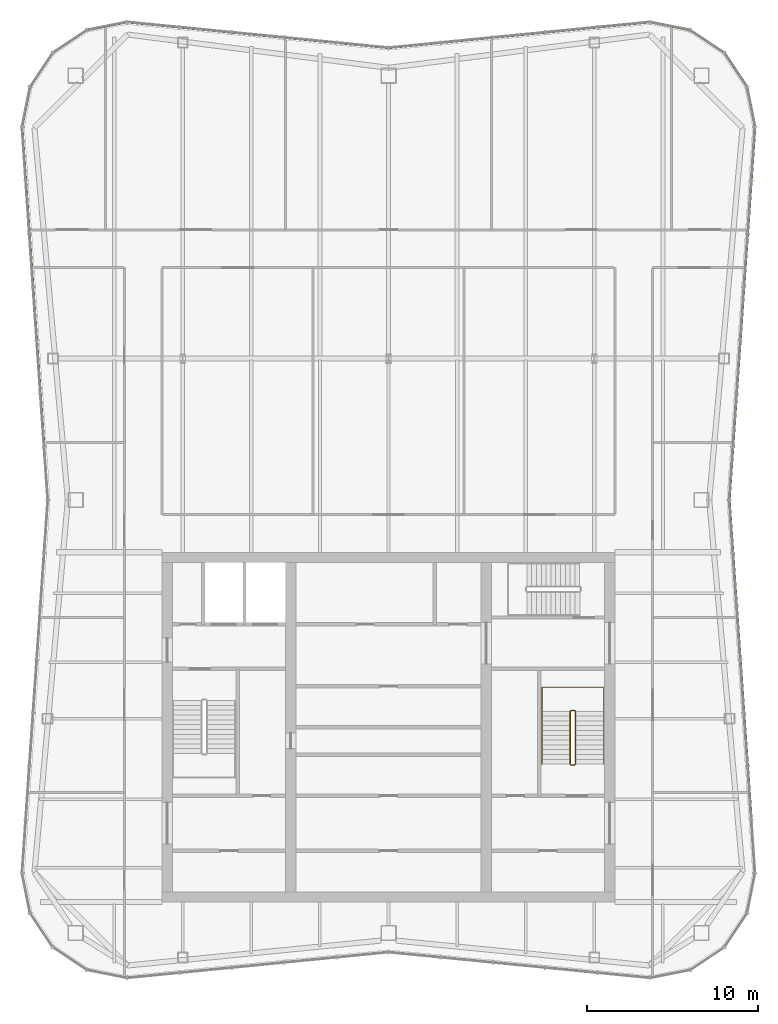
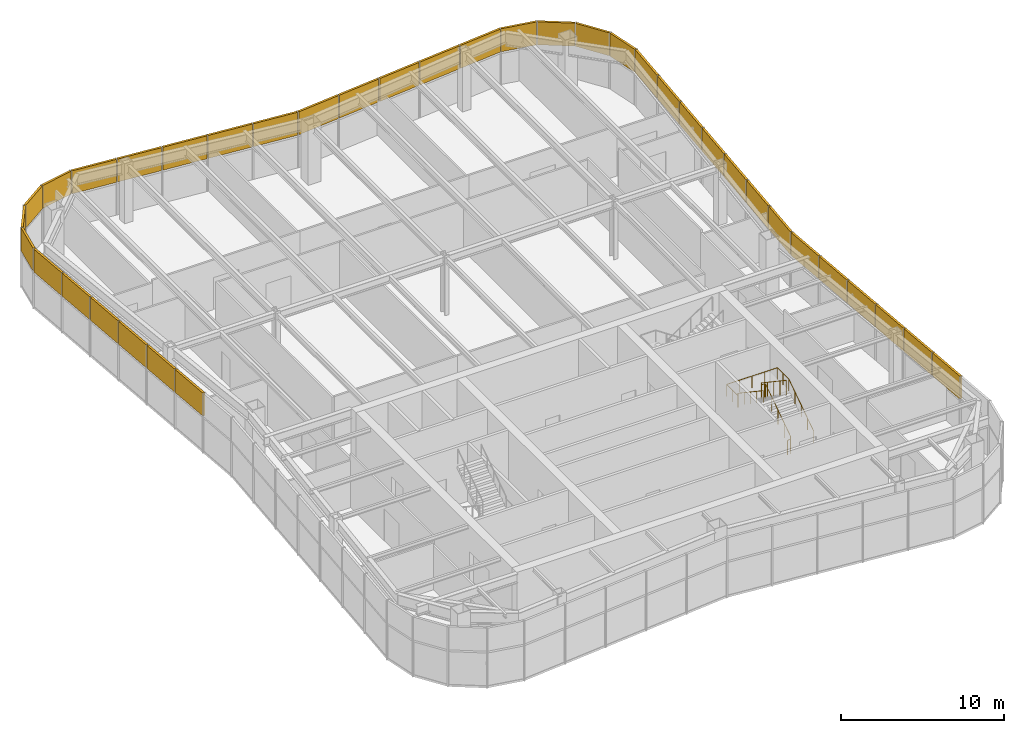
# One storey, part 13 of 13: 37 shading devices, 2 railings, 5 elements without a shape of their own.
"""IFC4 building model written with IfcOpenShell, lengths in metres."""

import ifcopenshell
import ifcopenshell.guid

model = None  # the IFC model being written
_history = None  # IfcOwnerHistory: only IFC2X3 demands one
_inside = {}  # id of a spatial element -> (the spatial element, [elements in it])
_under = {}  # id of a project, library or spatial element -> (it, [spatial elements below it])
_declared = {}  # id of a project -> (the project, [libraries it declares])
_typed = {}  # id of a type object -> (the type object, [elements of that type])
_made_of = {}  # id of a material, layer set ... -> (it, [elements and type objects made of it])


def new_model(schema):
    """Start an empty IFC model of exactly this schema.

    Asked for "IFC4X3", IfcOpenShell would pick the latest addendum, in which some entities
    have other attributes; the version numbers below select the first issue.
    IFC2X3 requires an IfcOwnerHistory on every rooted entity: one is made here for all.
    """
    global model, _history
    if schema == "IFC4X3":
        model = ifcopenshell.file(schema_version=(4, 3, 0, 0))
    else:
        model = ifcopenshell.file(schema=schema)
    _inside.clear()
    _under.clear()
    _declared.clear()
    _typed.clear()
    _made_of.clear()
    _history = None
    if model.schema == "IFC2X3":
        org = make("IfcOrganization", Name="unknown")
        user = make(
            "IfcPersonAndOrganization",
            ThePerson=make("IfcPerson", FamilyName="unknown"),
            TheOrganization=org,
        )
        app = make(
            "IfcApplication",
            ApplicationDeveloper=org,
            Version="unknown",
            ApplicationFullName="unknown",
            ApplicationIdentifier="unknown",
        )
        _history = make(
            "IfcOwnerHistory",
            OwningUser=user,
            OwningApplication=app,
            ChangeAction="ADDED",
            CreationDate=0,
        )
    return model


def make(cls, **values):
    """One entity of the class cls with the attributes given. An attribute that is None is left unset."""
    return model.create_entity(
        cls, **{name: value for name, value in values.items() if value is not None}
    )


def rooted(cls, **values):
    """An entity with a GlobalId (a new one), such as an element, a storey or a relation."""
    return make(cls, GlobalId=ifcopenshell.guid.new(), OwnerHistory=_history, **values)


def si_unit(unit_type, name, prefix=None):
    """IfcSIUnit, for example si_unit("LENGTHUNIT", "METRE", prefix="MILLI")."""
    return make("IfcSIUnit", UnitType=unit_type, Prefix=prefix, Name=name)


def assignment(units):
    """IfcUnitAssignment: the units of a project."""
    return None if units is None else make("IfcUnitAssignment", Units=units)


def point(xyz):
    """IfcCartesianPoint."""
    return None if xyz is None else make("IfcCartesianPoint", Coordinates=xyz)


def direction(xyz):
    """IfcDirection."""
    return None if xyz is None else make("IfcDirection", DirectionRatios=xyz)


def frame(location, z_axis=None, x_axis=None):
    """IfcAxis2Placement3D, a coordinate frame: its origin and axes. An axis left out is left unset."""
    return make(
        "IfcAxis2Placement3D",
        Location=point(location),
        Axis=direction(z_axis),
        RefDirection=direction(x_axis),
    )


def frame_2d(location, x_axis=None):
    """IfcAxis2Placement2D, a coordinate frame in the plane: its origin and x axis."""
    return make(
        "IfcAxis2Placement2D", Location=point(location), RefDirection=direction(x_axis)
    )


def origin():
    """The frame at (0, 0, 0) with its axes left unset."""
    return frame((0.0, 0.0, 0.0))


def origin_2d():
    """The frame at (0, 0) in the plane with its x axis left unset."""
    return frame_2d((0.0, 0.0))


def place(relative_to, where):
    """IfcLocalPlacement: puts the frame where relative to a parent placement (None: the world)."""
    return make(
        "IfcLocalPlacement", PlacementRelTo=relative_to, RelativePlacement=where
    )


def context(
    kind, dimensions, precision=None, world=None, true_north=None, identifier=None
):
    """IfcGeometricRepresentationContext, for example the 3D "Model" context."""
    return make(
        "IfcGeometricRepresentationContext",
        ContextIdentifier=identifier,
        ContextType=kind,
        CoordinateSpaceDimension=dimensions,
        Precision=precision,
        WorldCoordinateSystem=world,
        TrueNorth=true_north,
    )


def subcontext(parent, identifier, kind, view, scale=None):
    """IfcGeometricRepresentationSubContext, for example "Body" below "Model"."""
    return make(
        "IfcGeometricRepresentationSubContext",
        ContextIdentifier=identifier,
        ContextType=kind,
        ParentContext=parent,
        TargetScale=scale,
        TargetView=view,
    )


def project(units=None, contexts=None):
    """IfcProject with its units and contexts."""
    return rooted(
        "IfcProject",
        Name="project",
        RepresentationContexts=contexts,
        UnitsInContext=assignment(units),
    )


def spatial(cls, under=None, at=None, **own):
    """A site, building, storey or space (cls), placed at a placement, below another one or the project."""
    s = rooted(cls, ObjectPlacement=at, **own)
    if under is not None:
        _under.setdefault(under.id(), (under, []))[1].append(s)
    return s


def profile(cls, at=None, kind="AREA", **sizes):
    """A parametric profile (cls). Its sizes go by their IFC names, for example OverallWidth=200.0."""
    return make(cls, ProfileType=kind, Position=at, **sizes)


def rectangle(**sizes):
    """IfcRectangleProfileDef."""
    return profile("IfcRectangleProfileDef", **sizes)


def circle(**sizes):
    """IfcCircleProfileDef."""
    return profile("IfcCircleProfileDef", **sizes)


def extrude(swept, where, along, depth):
    """IfcExtrudedAreaSolid: the profile swept, set in the frame where, extruded along a direction by depth."""
    return make(
        "IfcExtrudedAreaSolid",
        SweptArea=swept,
        Position=where,
        ExtrudedDirection=direction(along),
        Depth=depth,
    )


def shape(context_of_items, identifier, shape_type, items):
    """IfcShapeRepresentation: the items that make up one representation, for example the "Body"."""
    return make(
        "IfcShapeRepresentation",
        ContextOfItems=context_of_items,
        RepresentationIdentifier=identifier,
        RepresentationType=shape_type,
        Items=items,
    )


def material(Name=None, Category=None):
    """IfcMaterial."""
    return make("IfcMaterial", Name=Name, Category=Category)


def layer(
    of_material, thickness, ventilated=None, Name=None, Category=None, Priority=None
):
    """IfcMaterialLayer: one layer of a wall or slab, of a material (None: an air gap)."""
    return make(
        "IfcMaterialLayer",
        Material=of_material,
        LayerThickness=thickness,
        IsVentilated=ventilated,
        Name=Name,
        Category=Category,
        Priority=Priority,
    )


def layer_set(layers, Name=None):
    """IfcMaterialLayerSet."""
    return make("IfcMaterialLayerSet", MaterialLayers=layers, LayerSetName=Name)


def made_of(thing, what):
    """Note that an element or type object is made of a material, layer set ...; save() writes the relation."""
    if what is not None:
        _made_of.setdefault(what.id(), (what, []))[1].append(thing)
    return thing


def type_object(cls, material=None, **own):
    """A type object (cls), such as IfcWallType, which elements share."""
    return made_of(rooted(cls, **own), material)


def element(
    cls,
    number,
    at=None,
    inside=None,
    cuts=None,
    type_object=None,
    material=None,
    context=None,
    identifier="Body",
    shape_type=None,
    held_by="IfcProductDefinitionShape",
    body=None,
    shapes=None,
    **own,
):
    """One element of the class cls, such as IfcWall. Its Tag is "e" and its number.

    at: its placement. inside: the storey or other place that contains it. cuts: it is an
    opening in that element (IfcRelVoidsElement). A single representation is given by context,
    identifier, shape_type and body (its items); several are given by shapes. held_by: the class
    of the entity that holds the representations. save() writes the other relations.
    """
    e = rooted(cls, Tag="e%d" % number, ObjectPlacement=at, **own)
    if body is not None:
        shapes = [shape(context, identifier, shape_type, body)]
    if shapes is not None:
        e.Representation = make(held_by, Representations=shapes)
    if inside is not None:
        _inside.setdefault(inside.id(), (inside, []))[1].append(e)
    if cuts is not None:
        rooted(
            "IfcRelVoidsElement", RelatingBuildingElement=cuts, RelatedOpeningElement=e
        )
    if type_object is not None:
        _typed.setdefault(type_object.id(), (type_object, []))[1].append(e)
    return made_of(e, material)


def aggregate(whole, parts):
    """IfcRelAggregates: a whole, such as a stair, and the parts it consists of."""
    return rooted("IfcRelAggregates", RelatingObject=whole, RelatedObjects=parts)


def save(model, path):
    """Write the relations noted so far, then the file.

    IfcRelAggregates (storeys below a building ...), IfcRelContainedInSpatialStructure (elements
    in a storey), IfcRelDefinesByType, IfcRelAssociatesMaterial and IfcRelDeclares: one each for
    every whole, place, type object, material and project.
    """
    for whole, parts in _under.values():
        aggregate(whole, parts)
    for where, things in _inside.values():
        rooted(
            "IfcRelContainedInSpatialStructure",
            RelatedElements=things,
            RelatingStructure=where,
        )
    for kind, things in _typed.values():
        rooted("IfcRelDefinesByType", RelatedObjects=things, RelatingType=kind)
    for what, things in _made_of.values():
        rooted("IfcRelAssociatesMaterial", RelatedObjects=things, RelatingMaterial=what)
    for by, libraries in _declared.values():
        rooted("IfcRelDeclares", RelatingContext=by, RelatedDefinitions=libraries)
    model.write(path)


model = new_model("IFC4")

# Units and contexts
model_context = context("Model", 3, precision=1e-05, world=origin(), true_north=direction((0.0, 1.0)))
body_context = subcontext(model_context, "Body", "Model", "MODEL_VIEW")
ifc_project = project(units=[si_unit("LENGTHUNIT", "METRE"), si_unit("AREAUNIT", "SQUARE_METRE"), si_unit("VOLUMEUNIT", "CUBIC_METRE"), si_unit("PLANEANGLEUNIT", "RADIAN"), si_unit("MASSUNIT", "GRAM", prefix="KILO")], contexts=[model_context])

# Site, building, storey
site_placement = place(None, origin())
site = spatial("IfcSite", under=ifc_project, at=site_placement, CompositionType="ELEMENT")
building_placement = place(site_placement, origin())
building = spatial("IfcBuilding", under=site, at=building_placement, Name="Verdant Reach Tower", CompositionType="ELEMENT")
storey_placement = place(building_placement, frame((0.0, 0.0, 359.5)))
storey = spatial("IfcBuildingStorey", under=building, at=storey_placement, Name="L81 Plant", CompositionType="ELEMENT", Elevation=359.5)

# Railings
ifc_material_1 = material(Name="Stainless steel", Category="steel")
railing_type_1 = type_object("IfcRailingType", Name="CO-GUARD", PredefinedType="GUARDRAIL", material=ifc_material_1)
railing_1_placement = place(storey_placement, frame((10.64990234375, 25.800048828125, 0.0)))
element("IfcRailing", 1, at=railing_1_placement, inside=storey, type_object=railing_type_1, Name="L81 Plant ST-2 stair guard 1", PredefinedType="GUARDRAIL", context=body_context, shape_type="SweptSolid", body=[
    extrude(circle(Radius=0.02392578125, at=origin_2d()), frame((0.0, 0.0, 1.076171875), z_axis=(1.0, 0.0, 0.0), x_axis=(0.0, 1.0, 0.0)), (0.0, 0.0, 1.0), 0.2001953125),
    extrude(circle(Radius=0.02392578125, at=origin_2d()), frame((0.2001953125, 0.0, 1.076171875), z_axis=(0.248583702486, 0.249802250048, 0.935844527007), x_axis=(-0.708833529934, 0.705375805398, 0.0)), (0.0, 0.0, 1.0), 0.200439453125),
    extrude(circle(Radius=0.02392578125, at=origin_2d()), frame((0.25, 0.050048828125, 1.263671875), z_axis=(0.0, 0.830893310487, 0.556431762742), x_axis=(-1.0, 0.0, 0.0)), (0.0, 0.0, 1.0), 3.70654296875),
    extrude(circle(Radius=0.02392578125, at=origin_2d()), frame((0.25, 3.1298828125, 3.326171875), z_axis=(-0.705375805398, 0.708833529934, 0.0), x_axis=(-0.708833529934, -0.705375805398, 0.0)), (0.0, 0.0, 1.0), 0.070556640625),
    extrude(circle(Radius=0.02392578125, at=origin_2d()), frame((0.2001953125, 3.179931640625, 3.326171875), z_axis=(-1.0, 0.0, 0.0), x_axis=(0.0, -1.0, 0.0)), (0.0, 0.0, 1.0), 0.2001953125),
    extrude(circle(Radius=0.02392578125, at=origin_2d()), frame((0.0, 3.179931640625, 3.326171875), z_axis=(-0.248583702486, -0.249802250048, 0.935844527007), x_axis=(0.708833529934, -0.705375805398, 0.0)), (0.0, 0.0, 1.0), 0.200439453125),
    extrude(circle(Radius=0.02392578125, at=origin_2d()), frame((-0.0498046875, 3.1298828125, 3.513671875), z_axis=(0.0, -0.830893310487, 0.556431762742), x_axis=(1.0, 0.0, 0.0)), (0.0, 0.0, 1.0), 3.70654296875),
    extrude(circle(Radius=0.02099609375, at=origin_2d()), origin(), (0.0, 0.0, 1.0), 1.052001953125),
    extrude(circle(Radius=0.02099609375, at=origin_2d()), frame((0.2001953125, 0.0, 0.0)), (0.0, 0.0, 1.0), 1.052001953125),
    extrude(circle(Radius=0.02099609375, at=origin_2d()), frame((0.25, 0.050048828125, 0.1875)), (0.0, 0.0, 1.0), 1.052001953125),
    extrude(circle(Radius=0.02099609375, at=origin_2d()), frame((0.25, 0.820068359375, 0.703125)), (0.0, 0.0, 1.0), 1.052001953125),
    extrude(circle(Radius=0.02099609375, at=origin_2d()), frame((0.25, 1.58984375, 1.21875)), (0.0, 0.0, 1.0), 1.052001953125),
    extrude(circle(Radius=0.02099609375, at=origin_2d()), frame((0.25, 2.35986328125, 1.734375)), (0.0, 0.0, 1.0), 1.052001953125),
    extrude(circle(Radius=0.02099609375, at=origin_2d()), frame((0.25, 3.1298828125, 2.25)), (0.0, 0.0, 1.0), 1.052001953125),
    extrude(circle(Radius=0.02099609375, at=origin_2d()), frame((0.2001953125, 3.179931640625, 2.25)), (0.0, 0.0, 1.0), 1.052001953125),
    extrude(circle(Radius=0.02099609375, at=origin_2d()), frame((0.0, 3.179931640625, 2.25)), (0.0, 0.0, 1.0), 1.052001953125),
    extrude(circle(Radius=0.02099609375, at=origin_2d()), frame((-0.0498046875, 3.1298828125, 2.4375)), (0.0, 0.0, 1.0), 1.052001953125),
    extrude(circle(Radius=0.02099609375, at=origin_2d()), frame((-0.0498046875, 2.35986328125, 2.953125)), (0.0, 0.0, 1.0), 1.052001953125),
    extrude(circle(Radius=0.02099609375, at=origin_2d()), frame((-0.0498046875, 1.58984375, 3.46875)), (0.0, 0.0, 1.0), 1.052001953125),
    extrude(circle(Radius=0.02099609375, at=origin_2d()), frame((-0.0498046875, 0.820068359375, 3.984375)), (0.0, 0.0, 1.0), 1.052001953125),
    extrude(circle(Radius=0.02099609375, at=origin_2d()), frame((-0.0498046875, 0.050048828125, 4.5)), (0.0, 0.0, 1.0), 1.052001953125),
])
railing_type_2 = type_object("IfcRailingType", Name="CO-HANDRAIL", PredefinedType="HANDRAIL", material=ifc_material_1)
railing_2_placement = place(storey_placement, frame((12.550048828125, 25.85009765625, 0.1875)))
element("IfcRailing", 2, at=railing_2_placement, inside=storey, type_object=railing_type_2, Name="L81 Plant ST-2 stair handrail 1", PredefinedType="HANDRAIL", context=body_context, shape_type="SweptSolid", body=[
    extrude(circle(Radius=0.02392578125, at=origin_2d()), frame((0.0, 0.0, 0.8759765625), z_axis=(0.0, 0.830893310487, 0.556431762742), x_axis=(-1.0, 0.0, 0.0)), (0.0, 0.0, 1.0), 3.70654296875),
    extrude(circle(Radius=0.02392578125, at=origin_2d()), frame((0.0, 3.079833984375, 2.9384765625), z_axis=(0.0, 1.0, 0.0), x_axis=(-1.0, 0.0, 0.0)), (0.0, 0.0, 1.0), 1.400146484375),
    extrude(circle(Radius=0.02392578125, at=origin_2d()), frame((0.0, 4.47998046875, 2.9384765625), z_axis=(-1.0, 0.0, 0.0), x_axis=(0.0, -1.0, 0.0)), (0.0, 0.0, 1.0), 3.60009765625),
    extrude(circle(Radius=0.02392578125, at=origin_2d()), frame((-3.60009765625, 4.47998046875, 2.9384765625), z_axis=(0.0, -1.0, 0.0), x_axis=(1.0, 0.0, 0.0)), (0.0, 0.0, 1.0), 1.400146484375),
    extrude(circle(Radius=0.02392578125, at=origin_2d()), frame((-3.60009765625, 3.079833984375, 2.9384765625), z_axis=(0.0, 0.0, 1.0), x_axis=(1.0, 0.0, 0.0)), (0.0, 0.0, 1.0), 0.1875),
    extrude(circle(Radius=0.02392578125, at=origin_2d()), frame((-3.60009765625, 3.079833984375, 3.1259765625), z_axis=(0.0, -0.830893310487, 0.556431762742), x_axis=(1.0, 0.0, 0.0)), (0.0, 0.0, 1.0), 3.70654296875),
    extrude(circle(Radius=0.02099609375, at=origin_2d()), origin(), (0.0, 0.0, 1.0), 0.851806640625),
    extrude(circle(Radius=0.02099609375, at=origin_2d()), frame((0.0, 0.77001953125, 0.515625)), (0.0, 0.0, 1.0), 0.851806640625),
    extrude(circle(Radius=0.02099609375, at=origin_2d()), frame((0.0, 1.5400390625, 1.03125)), (0.0, 0.0, 1.0), 0.851806640625),
    extrude(circle(Radius=0.02099609375, at=origin_2d()), frame((0.0, 2.309814453125, 1.546875)), (0.0, 0.0, 1.0), 0.851806640625),
    extrude(circle(Radius=0.02099609375, at=origin_2d()), frame((0.0, 3.079833984375, 2.0625)), (0.0, 0.0, 1.0), 0.851806640625),
    extrude(circle(Radius=0.02099609375, at=origin_2d()), frame((0.0, 3.77978515625, 2.0625)), (0.0, 0.0, 1.0), 0.851806640625),
    extrude(circle(Radius=0.02099609375, at=origin_2d()), frame((0.0, 4.47998046875, 2.0625)), (0.0, 0.0, 1.0), 0.851806640625),
    extrude(circle(Radius=0.02099609375, at=origin_2d()), frame((-0.89990234375, 4.47998046875, 2.0625)), (0.0, 0.0, 1.0), 0.851806640625),
    extrude(circle(Radius=0.02099609375, at=origin_2d()), frame((-1.800048828125, 4.47998046875, 2.0625)), (0.0, 0.0, 1.0), 0.851806640625),
    extrude(circle(Radius=0.02099609375, at=origin_2d()), frame((-2.7001953125, 4.47998046875, 2.0625)), (0.0, 0.0, 1.0), 0.851806640625),
    extrude(circle(Radius=0.02099609375, at=origin_2d()), frame((-3.60009765625, 4.47998046875, 2.0625)), (0.0, 0.0, 1.0), 0.851806640625),
    extrude(circle(Radius=0.02099609375, at=origin_2d()), frame((-3.60009765625, 3.77978515625, 2.0625)), (0.0, 0.0, 1.0), 0.851806640625),
    extrude(circle(Radius=0.02099609375, at=origin_2d()), frame((-3.60009765625, 3.079833984375, 2.0625)), (0.0, 0.0, 1.0), 0.851806640625),
    extrude(circle(Radius=0.02099609375, at=origin_2d()), frame((-3.60009765625, 3.079833984375, 2.25)), (0.0, 0.0, 1.0), 0.851806640625),
    extrude(circle(Radius=0.02099609375, at=origin_2d()), frame((-3.60009765625, 2.309814453125, 2.765625)), (0.0, 0.0, 1.0), 0.851806640625),
    extrude(circle(Radius=0.02099609375, at=origin_2d()), frame((-3.60009765625, 1.5400390625, 3.28125)), (0.0, 0.0, 1.0), 0.851806640625),
    extrude(circle(Radius=0.02099609375, at=origin_2d()), frame((-3.60009765625, 0.77001953125, 3.796875)), (0.0, 0.0, 1.0), 0.851806640625),
    extrude(circle(Radius=0.02099609375, at=origin_2d()), frame((-3.60009765625, 0.0, 4.3125)), (0.0, 0.0, 1.0), 0.851806640625),
])

# Curtain wall, shading devices
ifc_material_2 = material(Name="Anodised aluminium", Category="aluminium")
curtain_wall_type = type_object("IfcCurtainWallType", Name="EN-CW SYSTEM PLANT", PredefinedType="NOTDEFINED", material=ifc_material_2)
curtain_wall_1_placement = place(storey_placement, origin())
curtain_wall_1 = element("IfcCurtainWall", 3, at=curtain_wall_1_placement, inside=storey, type_object=curtain_wall_type, Name="Curtain wall east, L81", PredefinedType="NOTDEFINED")
ifc_material_3 = material(Name="Bronze anodised aluminium louvre", Category="aluminium")
ifc_layer = layer(ifc_material_3, 0.14990234375)
ifc_layer_set = layer_set([ifc_layer], Name="EN-LOUVRE")
shading_device_type = type_object("IfcShadingDeviceType", Name="EN-LOUVRE", PredefinedType="USERDEFINED", material=ifc_layer_set)
shading_device_1_placement = place(storey_placement, frame((21.04736328125, 24.1689453125, 2.425048828125), z_axis=(0.0, 0.0, 1.0), x_axis=(-0.068802091615, 0.997630328423, 0.0)))
shading_device_1 = element("IfcShadingDevice", 4, at=shading_device_1_placement, type_object=shading_device_type, Name="Louvre bank east face part 1 2, L81", ObjectType="LOUVRE", PredefinedType="USERDEFINED", context=body_context, shape_type="SweptSolid", body=[
    extrude(rectangle(XDim=3.03857421875, YDim=0.14990234375, at=origin_2d()), origin(), (0.0, 0.0, 1.0), 1.72509765625),
])
shading_device_2_placement = place(storey_placement, frame((20.8330078125, 27.276123046875, 2.425048828125), z_axis=(0.0, 0.0, 1.0), x_axis=(-0.068802091615, 0.997630328423, 0.0)))
shading_device_2 = element("IfcShadingDevice", 5, at=shading_device_2_placement, type_object=shading_device_type, Name="Louvre bank east face part 1 3, L81", ObjectType="LOUVRE", PredefinedType="USERDEFINED", context=body_context, shape_type="SweptSolid", body=[
    extrude(rectangle(XDim=3.03857421875, YDim=0.14990234375, at=origin_2d()), origin(), (0.0, 0.0, 1.0), 1.72509765625),
])
shading_device_3_placement = place(storey_placement, frame((20.61865234375, 30.38330078125, 2.425048828125), z_axis=(0.0, 0.0, 1.0), x_axis=(-0.068802091615, 0.997630328423, 0.0)))
shading_device_3 = element("IfcShadingDevice", 6, at=shading_device_3_placement, type_object=shading_device_type, Name="Louvre bank east face part 1 4, L81", ObjectType="LOUVRE", PredefinedType="USERDEFINED", context=body_context, shape_type="SweptSolid", body=[
    extrude(rectangle(XDim=3.03857421875, YDim=0.14990234375, at=origin_2d()), origin(), (0.0, 0.0, 1.0), 1.72509765625),
])
shading_device_4_placement = place(storey_placement, frame((20.404541015625, 33.490234375, 2.425048828125), z_axis=(0.0, 0.0, 1.0), x_axis=(-0.068802091615, 0.997630328423, 0.0)))
shading_device_4 = element("IfcShadingDevice", 7, at=shading_device_4_placement, type_object=shading_device_type, Name="Louvre bank east face part 1 5, L81", ObjectType="LOUVRE", PredefinedType="USERDEFINED", context=body_context, shape_type="SweptSolid", body=[
    extrude(rectangle(XDim=3.03857421875, YDim=0.14990234375, at=origin_2d()), origin(), (0.0, 0.0, 1.0), 1.72509765625),
])
shading_device_5_placement = place(storey_placement, frame((20.190185546875, 36.597412109375, 2.425048828125), z_axis=(0.0, 0.0, 1.0), x_axis=(-0.068802091615, 0.997630328423, 0.0)))
shading_device_5 = element("IfcShadingDevice", 8, at=shading_device_5_placement, type_object=shading_device_type, Name="Louvre bank east face part 1 6, L81", ObjectType="LOUVRE", PredefinedType="USERDEFINED", context=body_context, shape_type="SweptSolid", body=[
    extrude(rectangle(XDim=3.03857421875, YDim=0.14990234375, at=origin_2d()), origin(), (0.0, 0.0, 1.0), 1.72509765625),
])
shading_device_6_placement = place(storey_placement, frame((19.97607421875, 39.700439453125, 2.425048828125), z_axis=(0.0, 0.0, 1.0), x_axis=(-0.068892655483, 0.997624078509, 0.0)))
shading_device_6 = element("IfcShadingDevice", 9, at=shading_device_6_placement, type_object=shading_device_type, Name="Louvre bank east face part 1 7, L81", ObjectType="LOUVRE", PredefinedType="USERDEFINED", context=body_context, shape_type="SweptSolid", body=[
    extrude(rectangle(XDim=3.0302734375, YDim=0.14990234375, at=origin_2d()), origin(), (0.0, 0.0, 1.0), 1.72509765625),
])
shading_device_7_placement = place(storey_placement, frame((19.97607421875, 42.799560546875, 2.425048828125), z_axis=(0.0, 0.0, 1.0), x_axis=(0.068892655483, 0.997624078509, 0.0)))
shading_device_7 = element("IfcShadingDevice", 10, at=shading_device_7_placement, type_object=shading_device_type, Name="Louvre bank east face part 2 1, L81", ObjectType="LOUVRE", PredefinedType="USERDEFINED", context=body_context, shape_type="SweptSolid", body=[
    extrude(rectangle(XDim=3.0302734375, YDim=0.14990234375, at=origin_2d()), origin(), (0.0, 0.0, 1.0), 1.72509765625),
])
shading_device_8_placement = place(storey_placement, frame((20.190185546875, 45.902587890625, 2.425048828125), z_axis=(0.0, 0.0, 1.0), x_axis=(0.068802091615, 0.997630328423, 0.0)))
shading_device_8 = element("IfcShadingDevice", 11, at=shading_device_8_placement, type_object=shading_device_type, Name="Louvre bank east face part 2 2, L81", ObjectType="LOUVRE", PredefinedType="USERDEFINED", context=body_context, shape_type="SweptSolid", body=[
    extrude(rectangle(XDim=3.03857421875, YDim=0.14990234375, at=origin_2d()), origin(), (0.0, 0.0, 1.0), 1.72509765625),
])
shading_device_9_placement = place(storey_placement, frame((20.404541015625, 49.009765625, 2.425048828125), z_axis=(0.0, 0.0, 1.0), x_axis=(0.068802091615, 0.997630328423, 0.0)))
shading_device_9 = element("IfcShadingDevice", 12, at=shading_device_9_placement, type_object=shading_device_type, Name="Louvre bank east face part 2 3, L81", ObjectType="LOUVRE", PredefinedType="USERDEFINED", context=body_context, shape_type="SweptSolid", body=[
    extrude(rectangle(XDim=3.03857421875, YDim=0.14990234375, at=origin_2d()), origin(), (0.0, 0.0, 1.0), 1.72509765625),
])
shading_device_10_placement = place(storey_placement, frame((20.61865234375, 52.11669921875, 2.425048828125), z_axis=(0.0, 0.0, 1.0), x_axis=(0.068802091615, 0.997630328423, 0.0)))
shading_device_10 = element("IfcShadingDevice", 13, at=shading_device_10_placement, type_object=shading_device_type, Name="Louvre bank east face part 2 4, L81", ObjectType="LOUVRE", PredefinedType="USERDEFINED", context=body_context, shape_type="SweptSolid", body=[
    extrude(rectangle(XDim=3.03857421875, YDim=0.14990234375, at=origin_2d()), origin(), (0.0, 0.0, 1.0), 1.72509765625),
])
shading_device_11_placement = place(storey_placement, frame((20.8330078125, 55.223876953125, 2.425048828125), z_axis=(0.0, 0.0, 1.0), x_axis=(0.068802091615, 0.997630328423, 0.0)))
shading_device_11 = element("IfcShadingDevice", 14, at=shading_device_11_placement, type_object=shading_device_type, Name="Louvre bank east face part 2 5, L81", ObjectType="LOUVRE", PredefinedType="USERDEFINED", context=body_context, shape_type="SweptSolid", body=[
    extrude(rectangle(XDim=3.03857421875, YDim=0.14990234375, at=origin_2d()), origin(), (0.0, 0.0, 1.0), 1.72509765625),
])
shading_device_12_placement = place(storey_placement, frame((21.04736328125, 58.3310546875, 2.425048828125), z_axis=(0.0, 0.0, 1.0), x_axis=(0.068802091615, 0.997630328423, 0.0)))
shading_device_12 = element("IfcShadingDevice", 15, at=shading_device_12_placement, type_object=shading_device_type, Name="Louvre bank east face part 2 6, L81", ObjectType="LOUVRE", PredefinedType="USERDEFINED", context=body_context, shape_type="SweptSolid", body=[
    extrude(rectangle(XDim=3.03857421875, YDim=0.14990234375, at=origin_2d()), origin(), (0.0, 0.0, 1.0), 1.72509765625),
])
shading_device_13_placement = place(storey_placement, frame((21.261474609375, 61.446044921875, 2.425048828125), z_axis=(0.0, 0.0, 1.0), x_axis=(0.068469163133, 0.997653233193, 0.0)))
shading_device_13 = element("IfcShadingDevice", 16, at=shading_device_13_placement, type_object=shading_device_type, Name="Louvre bank east face part 2 7, L81", ObjectType="LOUVRE", PredefinedType="USERDEFINED", context=body_context, shape_type="SweptSolid", body=[
    extrude(rectangle(XDim=3.05419921875, YDim=0.14990234375, at=origin_2d()), origin(), (0.0, 0.0, 1.0), 1.72509765625),
])
aggregate(curtain_wall_1, [shading_device_1, shading_device_2, shading_device_3, shading_device_4, shading_device_5, shading_device_6, shading_device_7, shading_device_8, shading_device_9, shading_device_10, shading_device_11, shading_device_12, shading_device_13])

curtain_wall_2_placement = place(storey_placement, origin())
curtain_wall_2 = element("IfcCurtainWall", 17, at=curtain_wall_2_placement, inside=storey, type_object=curtain_wall_type, Name="Curtain wall north-east corner, L81", PredefinedType="NOTDEFINED")
shading_device_14_placement = place(storey_placement, frame((21.135986328125, 64.174560546875, 2.425048828125), z_axis=(0.0, 0.0, 1.0), x_axis=(-0.195592962334, 0.980685165119, 0.0)))
shading_device_14 = element("IfcShadingDevice", 18, at=shading_device_14_placement, type_object=shading_device_type, Name="Louvre bank north-east corner 1, L81", ObjectType="LOUVRE", PredefinedType="USERDEFINED", context=body_context, shape_type="SweptSolid", body=[
    extrude(rectangle(XDim=2.303955078125, YDim=0.14990234375, at=origin_2d()), origin(), (0.0, 0.0, 1.0), 1.72509765625),
])
shading_device_15_placement = place(storey_placement, frame((20.239990234375, 66.334228515625, 2.425048828125), z_axis=(0.0, 0.0, 1.0), x_axis=(-0.555596466265, 0.83145208321, 0.0)))
shading_device_15 = element("IfcShadingDevice", 19, at=shading_device_15_placement, type_object=shading_device_type, Name="Louvre bank north-east corner 2, L81", ObjectType="LOUVRE", PredefinedType="USERDEFINED", context=body_context, shape_type="SweptSolid", body=[
    extrude(rectangle(XDim=2.3115234375, YDim=0.14990234375, at=origin_2d()), origin(), (0.0, 0.0, 1.0), 1.72509765625),
])
shading_device_16_placement = place(storey_placement, frame((18.584228515625, 67.989990234375, 2.425048828125), z_axis=(0.0, 0.0, 1.0), x_axis=(-0.83145208321, 0.555596466265, 0.0)))
shading_device_16 = element("IfcShadingDevice", 20, at=shading_device_16_placement, type_object=shading_device_type, Name="Louvre bank north-east corner 3, L81", ObjectType="LOUVRE", PredefinedType="USERDEFINED", context=body_context, shape_type="SweptSolid", body=[
    extrude(rectangle(XDim=2.3115234375, YDim=0.14990234375, at=origin_2d()), origin(), (0.0, 0.0, 1.0), 1.72509765625),
])
shading_device_17_placement = place(storey_placement, frame((16.423828125, 68.885986328125, 2.425048828125), z_axis=(0.0, 0.0, 1.0), x_axis=(-0.980705120874, 0.195492879387, 0.0)))
shading_device_17 = element("IfcShadingDevice", 21, at=shading_device_17_placement, type_object=shading_device_type, Name="Louvre bank north-east corner 4, L81", ObjectType="LOUVRE", PredefinedType="USERDEFINED", context=body_context, shape_type="SweptSolid", body=[
    extrude(rectangle(XDim=2.3056640625, YDim=0.14990234375, at=origin_2d()), origin(), (0.0, 0.0, 1.0), 1.72509765625),
])
aggregate(curtain_wall_2, [shading_device_14, shading_device_15, shading_device_16, shading_device_17])

curtain_wall_3_placement = place(storey_placement, origin())
curtain_wall_3 = element("IfcCurtainWall", 22, at=curtain_wall_3_placement, inside=storey, type_object=curtain_wall_type, Name="Curtain wall north, L81", PredefinedType="NOTDEFINED")
shading_device_18_placement = place(storey_placement, frame((13.72216796875, 68.96875, 2.425048828125), z_axis=(0.0, 0.0, 1.0), x_axis=(-0.995238191716, -0.097472774402, 0.0)))
shading_device_18 = element("IfcShadingDevice", 23, at=shading_device_18_placement, type_object=shading_device_type, Name="Louvre bank north face part 1 1, L81", ObjectType="LOUVRE", PredefinedType="USERDEFINED", context=body_context, shape_type="SweptSolid", body=[
    extrude(rectangle(XDim=3.006103515625, YDim=0.14990234375, at=origin_2d()), origin(), (0.0, 0.0, 1.0), 1.72509765625),
])
shading_device_19_placement = place(storey_placement, frame((10.663330078125, 68.66845703125, 2.425048828125), z_axis=(0.0, 0.0, 1.0), x_axis=(-0.995197410875, -0.09788826992, 0.0)))
shading_device_19 = element("IfcShadingDevice", 24, at=shading_device_19_placement, type_object=shading_device_type, Name="Louvre bank north face part 1 2, L81", ObjectType="LOUVRE", PredefinedType="USERDEFINED", context=body_context, shape_type="SweptSolid", body=[
    extrude(rectangle(XDim=2.98876953125, YDim=0.14990234375, at=origin_2d()), origin(), (0.0, 0.0, 1.0), 1.72509765625),
])
shading_device_20_placement = place(storey_placement, frame((7.61328125, 68.368408203125, 2.425048828125), z_axis=(0.0, 0.0, 1.0), x_axis=(-0.995197410875, -0.09788826992, 0.0)))
shading_device_20 = element("IfcShadingDevice", 25, at=shading_device_20_placement, type_object=shading_device_type, Name="Louvre bank north face part 1 3, L81", ObjectType="LOUVRE", PredefinedType="USERDEFINED", context=body_context, shape_type="SweptSolid", body=[
    extrude(rectangle(XDim=2.98876953125, YDim=0.14990234375, at=origin_2d()), origin(), (0.0, 0.0, 1.0), 1.72509765625),
])
shading_device_21_placement = place(storey_placement, frame((4.563232421875, 68.068359375, 2.425048828125), z_axis=(0.0, 0.0, 1.0), x_axis=(-0.995197410875, -0.09788826992, 0.0)))
shading_device_21 = element("IfcShadingDevice", 26, at=shading_device_21_placement, type_object=shading_device_type, Name="Louvre bank north face part 1 4, L81", ObjectType="LOUVRE", PredefinedType="USERDEFINED", context=body_context, shape_type="SweptSolid", body=[
    extrude(rectangle(XDim=2.98876953125, YDim=0.14990234375, at=origin_2d()), origin(), (0.0, 0.0, 1.0), 1.72509765625),
])
shading_device_22_placement = place(storey_placement, frame((1.519287109375, 67.768798828125, 2.425048828125), z_axis=(0.0, 0.0, 1.0), x_axis=(-0.995179069607, -0.098074560493, 0.0)))
shading_device_22 = element("IfcShadingDevice", 27, at=shading_device_22_placement, type_object=shading_device_type, Name="Louvre bank north face part 1 5, L81", ObjectType="LOUVRE", PredefinedType="USERDEFINED", context=body_context, shape_type="SweptSolid", body=[
    extrude(rectangle(XDim=2.97705078125, YDim=0.14990234375, at=origin_2d()), origin(), (0.0, 0.0, 1.0), 1.72509765625),
])
shading_device_23_placement = place(storey_placement, frame((-1.519287109375, 67.768798828125, 2.425048828125), z_axis=(0.0, 0.0, 1.0), x_axis=(-0.995179069607, 0.098074560493, 0.0)))
shading_device_23 = element("IfcShadingDevice", 28, at=shading_device_23_placement, type_object=shading_device_type, Name="Louvre bank north face part 2 1, L81", ObjectType="LOUVRE", PredefinedType="USERDEFINED", context=body_context, shape_type="SweptSolid", body=[
    extrude(rectangle(XDim=2.97705078125, YDim=0.14990234375, at=origin_2d()), origin(), (0.0, 0.0, 1.0), 1.72509765625),
])
shading_device_24_placement = place(storey_placement, frame((-4.563232421875, 68.068359375, 2.425048828125), z_axis=(0.0, 0.0, 1.0), x_axis=(-0.995197410875, 0.09788826992, 0.0)))
shading_device_24 = element("IfcShadingDevice", 29, at=shading_device_24_placement, type_object=shading_device_type, Name="Louvre bank north face part 2 2, L81", ObjectType="LOUVRE", PredefinedType="USERDEFINED", context=body_context, shape_type="SweptSolid", body=[
    extrude(rectangle(XDim=2.98876953125, YDim=0.14990234375, at=origin_2d()), origin(), (0.0, 0.0, 1.0), 1.72509765625),
])
shading_device_25_placement = place(storey_placement, frame((-7.61328125, 68.368408203125, 2.425048828125), z_axis=(0.0, 0.0, 1.0), x_axis=(-0.995197410875, 0.09788826992, 0.0)))
shading_device_25 = element("IfcShadingDevice", 30, at=shading_device_25_placement, type_object=shading_device_type, Name="Louvre bank north face part 2 3, L81", ObjectType="LOUVRE", PredefinedType="USERDEFINED", context=body_context, shape_type="SweptSolid", body=[
    extrude(rectangle(XDim=2.98876953125, YDim=0.14990234375, at=origin_2d()), origin(), (0.0, 0.0, 1.0), 1.72509765625),
])
shading_device_26_placement = place(storey_placement, frame((-10.663330078125, 68.66845703125, 2.425048828125), z_axis=(0.0, 0.0, 1.0), x_axis=(-0.995197410875, 0.09788826992, 0.0)))
shading_device_26 = element("IfcShadingDevice", 31, at=shading_device_26_placement, type_object=shading_device_type, Name="Louvre bank north face part 2 4, L81", ObjectType="LOUVRE", PredefinedType="USERDEFINED", context=body_context, shape_type="SweptSolid", body=[
    extrude(rectangle(XDim=2.98876953125, YDim=0.14990234375, at=origin_2d()), origin(), (0.0, 0.0, 1.0), 1.72509765625),
])
shading_device_27_placement = place(storey_placement, frame((-13.72216796875, 68.96875, 2.425048828125), z_axis=(0.0, 0.0, 1.0), x_axis=(-0.995238191716, 0.097472774402, 0.0)))
shading_device_27 = element("IfcShadingDevice", 32, at=shading_device_27_placement, type_object=shading_device_type, Name="Louvre bank north face part 2 5, L81", ObjectType="LOUVRE", PredefinedType="USERDEFINED", context=body_context, shape_type="SweptSolid", body=[
    extrude(rectangle(XDim=3.006103515625, YDim=0.14990234375, at=origin_2d()), origin(), (0.0, 0.0, 1.0), 1.72509765625),
])
aggregate(curtain_wall_3, [shading_device_18, shading_device_19, shading_device_20, shading_device_21, shading_device_22, shading_device_23, shading_device_24, shading_device_25, shading_device_26, shading_device_27])

curtain_wall_4_placement = place(storey_placement, origin())
curtain_wall_4 = element("IfcCurtainWall", 33, at=curtain_wall_4_placement, inside=storey, type_object=curtain_wall_type, Name="Curtain wall north-west corner, L81", PredefinedType="NOTDEFINED")
shading_device_28_placement = place(storey_placement, frame((-16.423828125, 68.885986328125, 2.425048828125), z_axis=(0.0, 0.0, 1.0), x_axis=(-0.980705120874, -0.195492879387, 0.0)))
shading_device_28 = element("IfcShadingDevice", 34, at=shading_device_28_placement, type_object=shading_device_type, Name="Louvre bank north-west corner 1, L81", ObjectType="LOUVRE", PredefinedType="USERDEFINED", context=body_context, shape_type="SweptSolid", body=[
    extrude(rectangle(XDim=2.3056640625, YDim=0.14990234375, at=origin_2d()), origin(), (0.0, 0.0, 1.0), 1.72509765625),
])
shading_device_29_placement = place(storey_placement, frame((-18.584228515625, 67.989990234375, 2.425048828125), z_axis=(0.0, 0.0, 1.0), x_axis=(-0.83145208321, -0.555596466265, 0.0)))
shading_device_29 = element("IfcShadingDevice", 35, at=shading_device_29_placement, type_object=shading_device_type, Name="Louvre bank north-west corner 2, L81", ObjectType="LOUVRE", PredefinedType="USERDEFINED", context=body_context, shape_type="SweptSolid", body=[
    extrude(rectangle(XDim=2.3115234375, YDim=0.14990234375, at=origin_2d()), origin(), (0.0, 0.0, 1.0), 1.72509765625),
])
shading_device_30_placement = place(storey_placement, frame((-20.239990234375, 66.334228515625, 2.425048828125), z_axis=(0.0, 0.0, 1.0), x_axis=(-0.555596466265, -0.83145208321, 0.0)))
shading_device_30 = element("IfcShadingDevice", 36, at=shading_device_30_placement, type_object=shading_device_type, Name="Louvre bank north-west corner 3, L81", ObjectType="LOUVRE", PredefinedType="USERDEFINED", context=body_context, shape_type="SweptSolid", body=[
    extrude(rectangle(XDim=2.3115234375, YDim=0.14990234375, at=origin_2d()), origin(), (0.0, 0.0, 1.0), 1.72509765625),
])
shading_device_31_placement = place(storey_placement, frame((-21.135986328125, 64.174560546875, 2.425048828125), z_axis=(0.0, 0.0, 1.0), x_axis=(-0.195592962334, -0.980685165119, 0.0)))
shading_device_31 = element("IfcShadingDevice", 37, at=shading_device_31_placement, type_object=shading_device_type, Name="Louvre bank north-west corner 4, L81", ObjectType="LOUVRE", PredefinedType="USERDEFINED", context=body_context, shape_type="SweptSolid", body=[
    extrude(rectangle(XDim=2.303955078125, YDim=0.14990234375, at=origin_2d()), origin(), (0.0, 0.0, 1.0), 1.72509765625),
])
aggregate(curtain_wall_4, [shading_device_28, shading_device_29, shading_device_30, shading_device_31])

curtain_wall_5_placement = place(storey_placement, origin())
curtain_wall_5 = element("IfcCurtainWall", 38, at=curtain_wall_5_placement, inside=storey, type_object=curtain_wall_type, Name="Curtain wall west, L81", PredefinedType="NOTDEFINED")
shading_device_32_placement = place(storey_placement, frame((-21.261474609375, 61.446044921875, 2.425048828125), z_axis=(0.0, 0.0, 1.0), x_axis=(0.068469163133, -0.997653233193, 0.0)))
shading_device_32 = element("IfcShadingDevice", 39, at=shading_device_32_placement, type_object=shading_device_type, Name="Louvre bank west face part 1 1, L81", ObjectType="LOUVRE", PredefinedType="USERDEFINED", context=body_context, shape_type="SweptSolid", body=[
    extrude(rectangle(XDim=3.05419921875, YDim=0.14990234375, at=origin_2d()), origin(), (0.0, 0.0, 1.0), 1.72509765625),
])
shading_device_33_placement = place(storey_placement, frame((-21.04736328125, 58.3310546875, 2.425048828125), z_axis=(0.0, 0.0, 1.0), x_axis=(0.068802091615, -0.997630328423, 0.0)))
shading_device_33 = element("IfcShadingDevice", 40, at=shading_device_33_placement, type_object=shading_device_type, Name="Louvre bank west face part 1 2, L81", ObjectType="LOUVRE", PredefinedType="USERDEFINED", context=body_context, shape_type="SweptSolid", body=[
    extrude(rectangle(XDim=3.03857421875, YDim=0.14990234375, at=origin_2d()), origin(), (0.0, 0.0, 1.0), 1.72509765625),
])
shading_device_34_placement = place(storey_placement, frame((-20.8330078125, 55.223876953125, 2.425048828125), z_axis=(0.0, 0.0, 1.0), x_axis=(0.068802091615, -0.997630328423, 0.0)))
shading_device_34 = element("IfcShadingDevice", 41, at=shading_device_34_placement, type_object=shading_device_type, Name="Louvre bank west face part 1 3, L81", ObjectType="LOUVRE", PredefinedType="USERDEFINED", context=body_context, shape_type="SweptSolid", body=[
    extrude(rectangle(XDim=3.03857421875, YDim=0.14990234375, at=origin_2d()), origin(), (0.0, 0.0, 1.0), 1.72509765625),
])
shading_device_35_placement = place(storey_placement, frame((-20.61865234375, 52.11669921875, 2.425048828125), z_axis=(0.0, 0.0, 1.0), x_axis=(0.068802091615, -0.997630328423, 0.0)))
shading_device_35 = element("IfcShadingDevice", 42, at=shading_device_35_placement, type_object=shading_device_type, Name="Louvre bank west face part 1 4, L81", ObjectType="LOUVRE", PredefinedType="USERDEFINED", context=body_context, shape_type="SweptSolid", body=[
    extrude(rectangle(XDim=3.03857421875, YDim=0.14990234375, at=origin_2d()), origin(), (0.0, 0.0, 1.0), 1.72509765625),
])
shading_device_36_placement = place(storey_placement, frame((-20.404541015625, 49.009765625, 2.425048828125), z_axis=(0.0, 0.0, 1.0), x_axis=(0.068802091615, -0.997630328423, 0.0)))
shading_device_36 = element("IfcShadingDevice", 43, at=shading_device_36_placement, type_object=shading_device_type, Name="Louvre bank west face part 1 5, L81", ObjectType="LOUVRE", PredefinedType="USERDEFINED", context=body_context, shape_type="SweptSolid", body=[
    extrude(rectangle(XDim=3.03857421875, YDim=0.14990234375, at=origin_2d()), origin(), (0.0, 0.0, 1.0), 1.72509765625),
])
shading_device_37_placement = place(storey_placement, frame((-20.190185546875, 45.902587890625, 2.425048828125), z_axis=(0.0, 0.0, 1.0), x_axis=(0.068802091615, -0.997630328423, 0.0)))
shading_device_37 = element("IfcShadingDevice", 44, at=shading_device_37_placement, type_object=shading_device_type, Name="Louvre bank west face part 1 6, L81", ObjectType="LOUVRE", PredefinedType="USERDEFINED", context=body_context, shape_type="SweptSolid", body=[
    extrude(rectangle(XDim=3.03857421875, YDim=0.14990234375, at=origin_2d()), origin(), (0.0, 0.0, 1.0), 1.72509765625),
])
aggregate(curtain_wall_5, [shading_device_32, shading_device_33, shading_device_34, shading_device_35, shading_device_36, shading_device_37])

save(model, "model.ifc")
